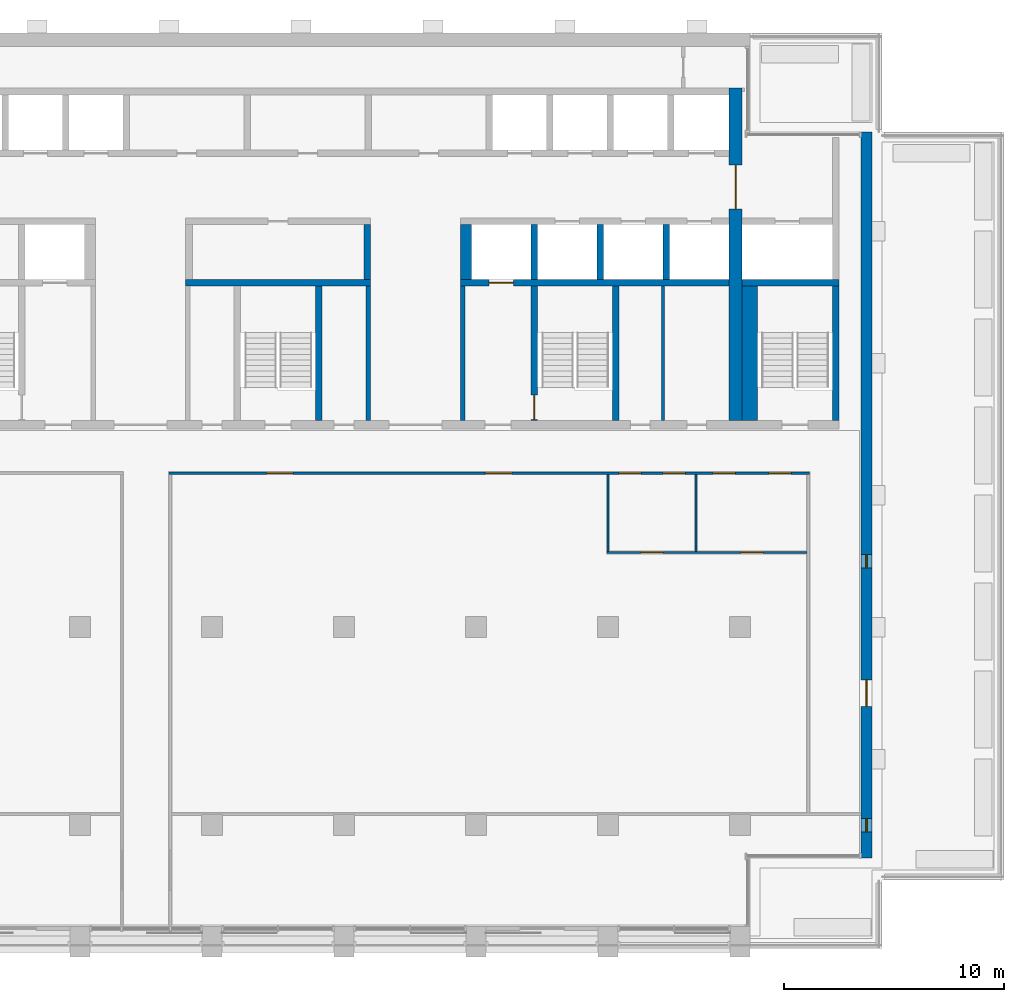
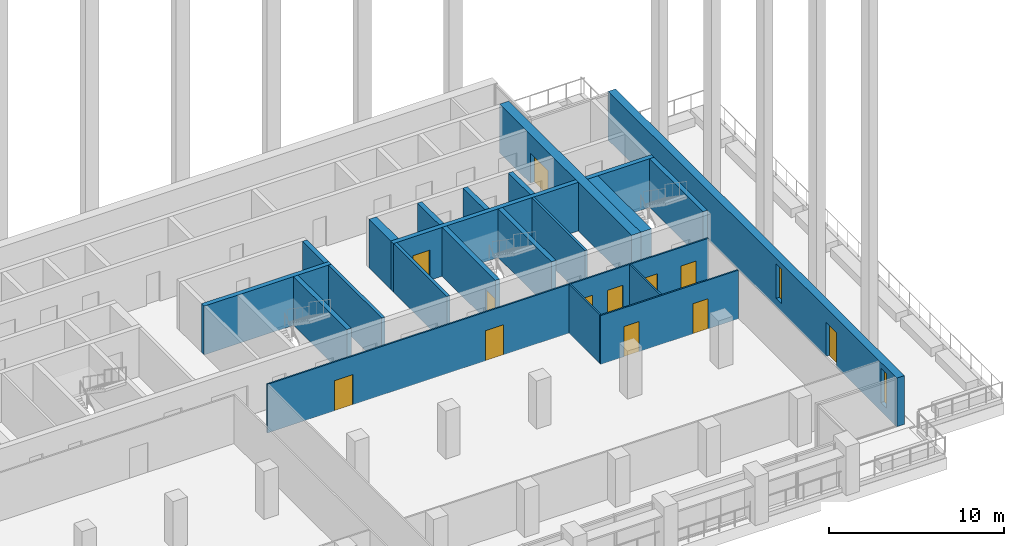
# One storey, part 9 of 16: 22 walls, 12 doors, 2 windows, 14 openings.
"""IFC4 building model written with IfcOpenShell, lengths in metres."""

from ifc_helpers import new_model, si_unit, direction, frame, frame_2d, origin, place, context, subcontext, project, spatial, rectangle, extrude, material, layer, layer_set, type_object, element, fill, save


model = new_model("IFC4")

# Units and contexts
model_context = context("Model", 3, precision=1e-05, world=origin(), true_north=direction((0.0, 1.0)))
body_context = subcontext(model_context, "Body", "Model", "MODEL_VIEW")
ifc_project = project(units=[si_unit("LENGTHUNIT", "METRE"), si_unit("AREAUNIT", "SQUARE_METRE"), si_unit("VOLUMEUNIT", "CUBIC_METRE"), si_unit("PLANEANGLEUNIT", "RADIAN"), si_unit("MASSUNIT", "GRAM", prefix="KILO")], contexts=[model_context])

# Site, building, storey
site_placement = place(None, origin())
site = spatial("IfcSite", under=ifc_project, at=site_placement, CompositionType="ELEMENT")
building_placement = place(site_placement, origin())
building = spatial("IfcBuilding", under=site, at=building_placement, Name="Calvaro Tower", CompositionType="ELEMENT")
storey_placement = place(building_placement, frame((0.0, 0.0, 231.75)))
storey = spatial("IfcBuildingStorey", under=building, at=storey_placement, Name="L58", CompositionType="ELEMENT", Elevation=231.75)

# Walls
ifc_material_1 = material(Name="Blockwork partition", Category="masonry")
ifc_layer_1 = layer(ifc_material_1, 0.14990234375)
ifc_layer_set_1 = layer_set([ifc_layer_1], Name="Blockwork partition")
wall_type_1 = type_object("IfcWallType", Name="Core partition 150 EI 60", PredefinedType="PARTITIONING", material=ifc_layer_set_1)
wall_1_placement = place(storey_placement, frame((56.5, 28.39990234375, 0.0), z_axis=(0.0, 0.0, 1.0), x_axis=(0.0, 1.0, 0.0)))
element("IfcWall", 1, at=wall_1_placement, inside=storey, type_object=wall_type_1, Name="Core partition", PredefinedType="PARTITIONING", context=body_context, shape_type="SweptSolid", body=[
    extrude(rectangle(XDim=6.10009765625, YDim=0.14990234375, at=frame_2d((3.050048828125, 0.0))), origin(), (0.0, 0.0, 1.0), 3.39990234375),
])
ifc_material_2 = material(Name="Blockwork partition", Category="masonry")
ifc_layer_2 = layer(ifc_material_2, 0.199951171875)
ifc_layer_set_2 = layer_set([ifc_layer_2], Name="Blockwork partition")
wall_type_2 = type_object("IfcWallType", Name="Core partition 200 REI 120", PredefinedType="PARTITIONING", material=ifc_layer_set_2)
for number, where, z_axis, x_axis, name in (
    (2, (43.10009765625, 28.39990234375, 0.0), (0.0, 0.0, 1.0), (0.0, 1.0, 0.0), "Core partition"),
    (3, (47.39990234375, 28.39990234375, 0.0), (0.0, 0.0, 1.0), (0.0, 1.0, 0.0), "Core partition"),
):
    element("IfcWall", number, at=place(storey_placement, frame(where, z_axis=z_axis, x_axis=x_axis)), inside=storey, type_object=wall_type_2, Name=name, PredefinedType="PARTITIONING", context=body_context, shape_type="SweptSolid", body=[
        extrude(rectangle(XDim=6.10009765625, YDim=0.199951171875, at=frame_2d((3.050048828125, 0.0))), origin(), (0.0, 0.0, 1.0), 3.39990234375),
    ])
ifc_material_3 = material(Name="Concrete C40/50", Category="concrete")
ifc_layer_3 = layer(ifc_material_3, 0.300048828125)
ifc_layer_set_3 = layer_set([ifc_layer_3], Name="Concrete C40/50")
wall_type_3 = type_object("IfcWallType", Name="Core wall C40/50 300", PredefinedType="SHEAR", material=ifc_layer_set_3)
wall_2_placement = place(storey_placement, frame((40.85009765625, 28.39990234375, 0.0), z_axis=(0.0, 0.0, 1.0), x_axis=(0.0, 1.0, 0.0)))
element("IfcWall", 4, at=wall_2_placement, inside=storey, type_object=wall_type_3, Name="Core wall, stair enclosure", PredefinedType="SHEAR", context=body_context, shape_type="SweptSolid", body=[
    extrude(rectangle(XDim=6.10009765625, YDim=0.300048828125, at=frame_2d((3.050048828125, 0.0))), origin(), (0.0, 0.0, 1.0), 3.39990234375),
])

# Wall, opening, door
wall_3_placement = place(storey_placement, frame((50.64990234375, 34.5, 0.0), z_axis=(0.0, 0.0, 1.0), x_axis=(0.0, -1.0, 0.0)))
wall_3 = element("IfcWall", 5, at=wall_3_placement, inside=storey, type_object=wall_type_3, Name="Core wall, stair enclosure", PredefinedType="SHEAR", context=body_context, shape_type="SweptSolid", body=[
    extrude(rectangle(XDim=6.10009765625, YDim=0.300048828125, at=frame_2d((3.050048828125, 0.0))), origin(), (0.0, 0.0, 1.0), 3.39990234375),
])
opening_1_placement = place(wall_3_placement, frame((4.949951171875, 0.0, 0.0)))
opening_1 = element("IfcOpeningElement", 6, at=opening_1_placement, cuts=wall_3, Name="Opening FD11D", PredefinedType="OPENING", context=body_context, shape_type="SweptSolid", body=[
    extrude(rectangle(XDim=1.10009765625, YDim=2.10009765625, at=frame_2d((0.550048828125, 1.050048828125))), frame((0.0, 0.159912109375, 0.0), z_axis=(0.0, -1.0, 0.0), x_axis=(1.0, 0.0, 0.0)), (0.0, 0.0, 1.0), 0.320068359375),
])
ifc_material_4 = material(Name="Steel door set", Category="steel")
door_type_1 = type_object("IfcDoorType", Name="Fire door 1100 FD30S", OperationType="SINGLE_SWING_LEFT", PredefinedType="DOOR", material=ifc_material_4)
door_1_placement = place(opening_1_placement, origin())
door_1 = element("IfcDoor", 7, at=door_1_placement, inside=storey, type_object=door_type_1, Name="Fire door", OperationType="SINGLE_SWING_RIGHT", OverallHeight=2.10009765625, OverallWidth=1.10009765625, PredefinedType="DOOR", context=body_context, shape_type="SweptSolid", body=[
    extrude(rectangle(XDim=1.10009765625, YDim=2.10009765625, at=frame_2d((0.550048828125, 1.050048828125))), frame((0.0, 0.02490234375, 0.0), z_axis=(0.0, -1.0, 0.0), x_axis=(1.0, 0.0, 0.0)), (0.0, 0.0, 1.0), 0.050048828125),
])
fill(opening_1, door_1)

# Walls
for number, where, z_axis, x_axis, name in (
    (8, (54.35009765625, 28.39990234375, 0.0), (0.0, 0.0, 1.0), (0.0, 1.0, 0.0), "Core wall, stair enclosure"),
    (9, (64.35009765625, 28.39990234375, 0.0), (0.0, 0.0, 1.0), (0.0, 1.0, 0.0), "Core wall, stair enclosure"),
):
    element("IfcWall", number, at=place(storey_placement, frame(where, z_axis=z_axis, x_axis=x_axis)), inside=storey, type_object=wall_type_3, Name=name, PredefinedType="SHEAR", context=body_context, shape_type="SweptSolid", body=[
        extrude(rectangle(XDim=6.10009765625, YDim=0.300048828125, at=frame_2d((3.050048828125, 0.0))), origin(), (0.0, 0.0, 1.0), 3.39990234375),
    ])
wall_4_placement = place(storey_placement, frame((34.800048828125, 34.64990234375, 0.0), z_axis=(0.0, 0.0, 1.0), x_axis=(1.0, 0.0, 0.0)))
element("IfcWall", 10, at=wall_4_placement, inside=storey, type_object=wall_type_3, Name="Core wall, lift shaft", PredefinedType="SHEAR", context=body_context, shape_type="SweptSolid", body=[
    extrude(rectangle(XDim=8.39990234375, YDim=0.300048828125, at=frame_2d((4.199951171875, 0.0))), origin(), (0.0, 0.0, 1.0), 3.39990234375),
])

# Wall, opening, door
wall_5_placement = place(storey_placement, frame((47.300048828125, 34.64990234375, 0.0), z_axis=(0.0, 0.0, 1.0), x_axis=(1.0, 0.0, 0.0)))
wall_5 = element("IfcWall", 11, at=wall_5_placement, inside=storey, type_object=wall_type_3, Name="Core wall, lift shaft", PredefinedType="SHEAR", context=body_context, shape_type="SweptSolid", body=[
    extrude(rectangle(XDim=12.199951171875, YDim=0.300048828125, at=frame_2d((6.10009765625, 0.0))), origin(), (0.0, 0.0, 1.0), 3.39990234375),
])
opening_2_placement = place(wall_5_placement, frame((1.300048828125, 0.0, 0.0)))
opening_2 = element("IfcOpeningElement", 12, at=opening_2_placement, cuts=wall_5, Name="Opening FF2", PredefinedType="OPENING", context=body_context, shape_type="SweptSolid", body=[
    extrude(rectangle(XDim=1.10009765625, YDim=2.10009765625, at=frame_2d((0.550048828125, 1.050048828125))), frame((0.0, 0.159912109375, 0.0), z_axis=(0.0, -1.0, 0.0), x_axis=(1.0, 0.0, 0.0)), (0.0, 0.0, 1.0), 0.320068359375),
])
ifc_material_5 = material(Name="Stainless steel", Category="steel")
door_type_2 = type_object("IfcDoorType", Name="Landing door 1100 E 60", OperationType="SLIDING_TO_LEFT", PredefinedType="DOOR", material=ifc_material_5)
door_2_placement = place(opening_2_placement, origin())
door_2 = element("IfcDoor", 13, at=door_2_placement, inside=storey, type_object=door_type_2, Name="Landing door FF2", OperationType="SLIDING_TO_LEFT", OverallHeight=2.10009765625, OverallWidth=1.10009765625, PredefinedType="DOOR", context=body_context, shape_type="SweptSolid", body=[
    extrude(rectangle(XDim=1.10009765625, YDim=2.10009765625, at=frame_2d((0.550048828125, 1.050048828125))), frame((0.0, 0.02490234375, 0.0), z_axis=(0.0, -1.0, 0.0), x_axis=(1.0, 0.0, 0.0)), (0.0, 0.0, 1.0), 0.050048828125),
])
fill(opening_2, door_2)

# Walls
wall_6_placement = place(storey_placement, frame((60.10009765625, 34.64990234375, 0.0), z_axis=(0.0, 0.0, 1.0), x_axis=(1.0, 0.0, 0.0)))
element("IfcWall", 14, at=wall_6_placement, inside=storey, type_object=wall_type_3, Name="Core wall, lift shaft", PredefinedType="SHEAR", context=body_context, shape_type="SweptSolid", body=[
    extrude(rectangle(XDim=4.39990234375, YDim=0.300048828125, at=frame_2d((2.199951171875, 0.0))), origin(), (0.0, 0.0, 1.0), 3.39990234375),
])
for number, where, z_axis, x_axis, name in (
    (15, (43.050048828125, 34.800048828125, 0.0), (0.0, 0.0, 1.0), (0.0, 1.0, 0.0), "Core wall, lift shaft"),
    (16, (50.64990234375, 34.800048828125, 0.0), (0.0, 0.0, 1.0), (0.0, 1.0, 0.0), "Core wall, lift shaft"),
    (17, (53.64990234375, 34.800048828125, 0.0), (0.0, 0.0, 1.0), (0.0, 1.0, 0.0), "Core wall, lift shaft"),
    (18, (56.64990234375, 34.800048828125, 0.0), (0.0, 0.0, 1.0), (0.0, 1.0, 0.0), "Core wall, lift shaft"),
):
    element("IfcWall", number, at=place(storey_placement, frame(where, z_axis=z_axis, x_axis=x_axis)), inside=storey, type_object=wall_type_3, Name=name, PredefinedType="SHEAR", context=body_context, shape_type="SweptSolid", body=[
        extrude(rectangle(XDim=2.5, YDim=0.300048828125, at=frame_2d((1.25, 0.0))), origin(), (0.0, 0.0, 1.0), 3.39990234375),
    ])
ifc_material_6 = material(Name="Concrete C40/50", Category="concrete")
ifc_layer_4 = layer(ifc_material_6, 0.5)
ifc_layer_set_4 = layer_set([ifc_layer_4], Name="Concrete C40/50")
wall_type_4 = type_object("IfcWallType", Name="Core wall C40/50 500", PredefinedType="SHEAR", material=ifc_layer_set_4)
wall_7_placement = place(storey_placement, frame((47.550048828125, 34.800048828125, 0.0), z_axis=(0.0, 0.0, 1.0), x_axis=(0.0, 1.0, 0.0)))
element("IfcWall", 19, at=wall_7_placement, inside=storey, type_object=wall_type_4, Name="Core wall, lift shaft", PredefinedType="SHEAR", context=body_context, shape_type="SweptSolid", body=[
    extrude(rectangle(XDim=2.5, YDim=0.5, at=frame_2d((1.25, 0.0))), origin(), (0.0, 0.0, 1.0), 3.39990234375),
])

# Wall, opening, door
ifc_material_7 = material(Name="Concrete C40/50", Category="concrete")
ifc_layer_5 = layer(ifc_material_7, 0.60009765625)
ifc_layer_set_5 = layer_set([ifc_layer_5], Name="Concrete C40/50")
wall_type_5 = type_object("IfcWallType", Name="Core wall C40/50 600", PredefinedType="SHEAR", material=ifc_layer_set_5)
wall_8_placement = place(storey_placement, frame((59.800048828125, 28.39990234375, 0.0), z_axis=(0.0, 0.0, 1.0), x_axis=(0.0, 1.0, 0.0)))
wall_8 = element("IfcWall", 20, at=wall_8_placement, inside=storey, type_object=wall_type_5, Name="Core wall, cross shear wall", PredefinedType="SHEAR", context=body_context, shape_type="SweptSolid", body=[
    extrude(rectangle(XDim=15.10009765625, YDim=0.60009765625, at=frame_2d((7.550048828125, 0.0))), origin(), (0.0, 0.0, 1.0), 3.39990234375),
])
opening_3_placement = place(wall_8_placement, frame((9.60009765625, 0.0, 0.0)))
opening_3 = element("IfcOpeningElement", 21, at=opening_3_placement, cuts=wall_8, Name="Opening DD20D", PredefinedType="OPENING", context=body_context, shape_type="SweptSolid", body=[
    extrude(rectangle(XDim=2.0, YDim=2.10009765625, at=frame_2d((1.0, 1.050048828125))), frame((0.0, 0.31005859375, 0.0), z_axis=(0.0, -1.0, 0.0), x_axis=(1.0, 0.0, 0.0)), (0.0, 0.0, 1.0), 0.6201171875),
])
ifc_material_8 = material(Name="Steel door set", Category="steel")
door_type_3 = type_object("IfcDoorType", Name="Lobby double door 2000 FD30S", OperationType="DOUBLE_DOOR_SINGLE_SWING", PredefinedType="DOOR", material=ifc_material_8)
door_3_placement = place(opening_3_placement, origin())
door_3 = element("IfcDoor", 22, at=door_3_placement, inside=storey, type_object=door_type_3, Name="Lobby double door", OperationType="DOUBLE_DOOR_SINGLE_SWING", OverallHeight=2.10009765625, OverallWidth=2.0, PredefinedType="DOOR", context=body_context, shape_type="SweptSolid", body=[
    extrude(rectangle(XDim=2.0, YDim=2.10009765625, at=frame_2d((1.0, 1.050048828125))), frame((0.0, 0.02490234375, 0.0), z_axis=(0.0, -1.0, 0.0), x_axis=(1.0, 0.0, 0.0)), (0.0, 0.0, 1.0), 0.050048828125),
])
fill(opening_3, door_3)

# Wall
ifc_material_9 = material(Name="Concrete C40/50", Category="concrete")
ifc_layer_6 = layer(ifc_material_9, 0.699951171875)
ifc_layer_set_6 = layer_set([ifc_layer_6], Name="Concrete C40/50")
wall_type_6 = type_object("IfcWallType", Name="Core wall C40/50 700", PredefinedType="SHEAR", material=ifc_layer_set_6)
wall_9_placement = place(storey_placement, frame((60.449951171875, 28.39990234375, 0.0), z_axis=(0.0, 0.0, 1.0), x_axis=(0.0, 1.0, 0.0)))
element("IfcWall", 23, at=wall_9_placement, inside=storey, type_object=wall_type_6, Name="Core wall, stair enclosure", PredefinedType="SHEAR", context=body_context, shape_type="SweptSolid", body=[
    extrude(rectangle(XDim=6.10009765625, YDim=0.699951171875, at=frame_2d((3.050048828125, 0.0))), origin(), (0.0, 0.0, 1.0), 3.39990234375),
])

# Wall, openings, windows, door
ifc_material_10 = material(Name="Concrete C40/50", Category="concrete")
ifc_layer_7 = layer(ifc_material_10, 0.5)
ifc_layer_set_7 = layer_set([ifc_layer_7], Name="Concrete C40/50")
wall_type_7 = type_object("IfcWallType", Name="End wall 500 C40/50", PredefinedType="SHEAR", material=ifc_layer_set_7)
wall_10_placement = place(storey_placement, frame((65.75, 8.5, 0.0), z_axis=(0.0, 0.0, 1.0), x_axis=(0.0, 1.0, 0.0)))
wall_10 = element("IfcWall", 24, at=wall_10_placement, inside=storey, type_object=wall_type_7, Name="End shear wall", PredefinedType="SHEAR", context=body_context, shape_type="SweptSolid", body=[
    extrude(rectangle(XDim=33.0, YDim=0.5, at=frame_2d((16.5, 0.0))), origin(), (0.0, 0.0, 1.0), 3.39990234375),
])
opening_4_placement = place(wall_10_placement, frame((1.199951171875, 0.0, 0.60009765625)))
opening_4 = element("IfcOpeningElement", 25, at=opening_4_placement, cuts=wall_10, Name="Opening WE01", PredefinedType="OPENING", context=body_context, shape_type="SweptSolid", body=[
    extrude(rectangle(XDim=0.60009765625, YDim=2.39990234375, at=frame_2d((0.300048828125, 1.199951171875))), frame((0.0, 0.260009765625, 0.0), z_axis=(0.0, -1.0, 0.0), x_axis=(1.0, 0.0, 0.0)), (0.0, 0.0, 1.0), 0.52001953125),
])
opening_5_placement = place(wall_10_placement, frame((13.199951171875, 0.0, 0.60009765625)))
opening_5 = element("IfcOpeningElement", 26, at=opening_5_placement, cuts=wall_10, Name="Opening WE03", PredefinedType="OPENING", context=body_context, shape_type="SweptSolid", body=[
    extrude(rectangle(XDim=0.60009765625, YDim=2.39990234375, at=frame_2d((0.300048828125, 1.199951171875))), frame((0.0, 0.260009765625, 0.0), z_axis=(0.0, -1.0, 0.0), x_axis=(1.0, 0.0, 0.0)), (0.0, 0.0, 1.0), 0.52001953125),
])
opening_6_placement = place(wall_10_placement, frame((6.89990234375, 0.0, 0.0)))
opening_6 = element("IfcOpeningElement", 27, at=opening_6_placement, cuts=wall_10, Name="Opening DT21", PredefinedType="OPENING", context=body_context, shape_type="SweptSolid", body=[
    extrude(rectangle(XDim=1.199951171875, YDim=2.39990234375, at=frame_2d((0.60009765625, 1.199951171875))), frame((0.0, 0.260009765625, 0.0), z_axis=(0.0, -1.0, 0.0), x_axis=(1.0, 0.0, 0.0)), (0.0, 0.0, 1.0), 0.52001953125),
])
ifc_material_11 = material(Name="Glass", Category="glass")
window_type = type_object("IfcWindowType", Name="Slit window 600 x 2400", PartitioningType="SINGLE_PANEL", PredefinedType="WINDOW", material=ifc_material_11)
window_1_placement = place(opening_4_placement, origin())
window_1 = element("IfcWindow", 28, at=window_1_placement, inside=storey, type_object=window_type, Name="Window WE01", OverallHeight=2.39990234375, OverallWidth=0.60009765625, PartitioningType="SINGLE_PANEL", PredefinedType="WINDOW", context=body_context, shape_type="SweptSolid", body=[
    extrude(rectangle(XDim=0.60009765625, YDim=2.39990234375, at=frame_2d((0.300048828125, 1.199951171875))), frame((0.0, 0.030029296875, 0.0), z_axis=(0.0, -1.0, 0.0), x_axis=(1.0, 0.0, 0.0)), (0.0, 0.0, 1.0), 0.06005859375),
])
fill(opening_4, window_1)
window_2_placement = place(opening_5_placement, origin())
window_2 = element("IfcWindow", 29, at=window_2_placement, inside=storey, type_object=window_type, Name="Window WE03", OverallHeight=2.39990234375, OverallWidth=0.60009765625, PartitioningType="SINGLE_PANEL", PredefinedType="WINDOW", context=body_context, shape_type="SweptSolid", body=[
    extrude(rectangle(XDim=0.60009765625, YDim=2.39990234375, at=frame_2d((0.300048828125, 1.199951171875))), frame((0.0, 0.030029296875, 0.0), z_axis=(0.0, -1.0, 0.0), x_axis=(1.0, 0.0, 0.0)), (0.0, 0.0, 1.0), 0.06005859375),
])
fill(opening_5, window_2)
ifc_material_12 = material(Name="Glass", Category="glass")
door_type_4 = type_object("IfcDoorType", Name="Terrace door 1200 x 2400", OperationType="SINGLE_SWING_RIGHT", PredefinedType="DOOR", material=ifc_material_12)
door_4_placement = place(opening_6_placement, frame((1.199951171875, 0.0, 0.0), z_axis=(0.0, 0.0, 1.0), x_axis=(-1.0, 0.0, 0.0)))
door_4 = element("IfcDoor", 30, at=door_4_placement, inside=storey, type_object=door_type_4, Name="Terrace door", OperationType="SINGLE_SWING_LEFT", OverallHeight=2.39990234375, OverallWidth=1.199951171875, PredefinedType="DOOR", context=body_context, shape_type="SweptSolid", body=[
    extrude(rectangle(XDim=1.199951171875, YDim=2.39990234375, at=frame_2d((0.60009765625, 1.199951171875))), frame((0.0, 0.02490234375, 0.0), z_axis=(0.0, -1.0, 0.0), x_axis=(1.0, 0.0, 0.0)), (0.0, 0.0, 1.0), 0.050048828125),
])
fill(opening_6, door_4)

# Wall, openings, doors
ifc_material_13 = material(Name="Plasterboard on steel studs", Category="steel")
ifc_layer_8 = layer(ifc_material_13, 0.10009765625)
ifc_layer_set_8 = layer_set([ifc_layer_8], Name="Plasterboard on steel studs")
wall_type_8 = type_object("IfcWallType", Name="Partition 100 EI 60", PredefinedType="PARTITIONING", material=ifc_layer_set_8)
wall_11_placement = place(storey_placement, frame((53.949951171875, 22.39990234375, 0.0), z_axis=(0.0, 0.0, 1.0), x_axis=(1.0, 0.0, 0.0)))
wall_11 = element("IfcWall", 31, at=wall_11_placement, inside=storey, type_object=wall_type_8, Name="Partition T43.W003", PredefinedType="PARTITIONING", context=body_context, shape_type="SweptSolid", body=[
    extrude(rectangle(XDim=9.10009765625, YDim=0.10009765625, at=frame_2d((4.550048828125, 0.0))), origin(), (0.0, 0.0, 1.0), 3.39990234375),
])
opening_7_placement = place(wall_11_placement, frame((1.550048828125, 0.0, 0.0)))
opening_7 = element("IfcOpeningElement", 32, at=opening_7_placement, cuts=wall_11, Name="Opening T43.008", PredefinedType="OPENING", context=body_context, shape_type="SweptSolid", body=[
    extrude(rectangle(XDim=1.0, YDim=2.10009765625, at=frame_2d((0.5, 1.050048828125))), frame((0.0, 0.06005859375, 0.0), z_axis=(0.0, -1.0, 0.0), x_axis=(1.0, 0.0, 0.0)), (0.0, 0.0, 1.0), 0.1201171875),
])
opening_8_placement = place(wall_11_placement, frame((6.10009765625, 0.0, 0.0)))
opening_8 = element("IfcOpeningElement", 33, at=opening_8_placement, cuts=wall_11, Name="Opening T43.011", PredefinedType="OPENING", context=body_context, shape_type="SweptSolid", body=[
    extrude(rectangle(XDim=1.0, YDim=2.10009765625, at=frame_2d((0.5, 1.050048828125))), frame((0.0, 0.06005859375, 0.0), z_axis=(0.0, -1.0, 0.0), x_axis=(1.0, 0.0, 0.0)), (0.0, 0.0, 1.0), 0.1201171875),
])
ifc_material_14 = material(Name="Timber", Category="wood")
door_type_5 = type_object("IfcDoorType", Name="Internal single door 1000 x 2100", OperationType="SINGLE_SWING_LEFT", PredefinedType="DOOR", material=ifc_material_14)
door_5_placement = place(opening_8_placement, origin())
door_5 = element("IfcDoor", 34, at=door_5_placement, inside=storey, type_object=door_type_5, Name="Door T43.011", OperationType="SINGLE_SWING_RIGHT", OverallHeight=2.10009765625, OverallWidth=1.0, PredefinedType="DOOR", context=body_context, shape_type="SweptSolid", body=[
    extrude(rectangle(XDim=1.0, YDim=2.10009765625, at=frame_2d((0.5, 1.050048828125))), frame((0.0, 0.02490234375, 0.0), z_axis=(0.0, -1.0, 0.0), x_axis=(1.0, 0.0, 0.0)), (0.0, 0.0, 1.0), 0.050048828125),
])
fill(opening_8, door_5)
ifc_material_15 = material(Name="Timber", Category="wood")
door_type_6 = type_object("IfcDoorType", Name="Internal single door 1000 x 2100 FD30", OperationType="SINGLE_SWING_LEFT", PredefinedType="DOOR", material=ifc_material_15)
door_6_placement = place(opening_7_placement, origin())
door_6 = element("IfcDoor", 35, at=door_6_placement, inside=storey, type_object=door_type_6, Name="Door T43.008", OperationType="SINGLE_SWING_LEFT", OverallHeight=2.10009765625, OverallWidth=1.0, PredefinedType="DOOR", context=body_context, shape_type="SweptSolid", body=[
    extrude(rectangle(XDim=1.0, YDim=2.10009765625, at=frame_2d((0.5, 1.050048828125))), frame((0.0, 0.02490234375, 0.0), z_axis=(0.0, -1.0, 0.0), x_axis=(1.0, 0.0, 0.0)), (0.0, 0.0, 1.0), 0.050048828125),
])
fill(opening_7, door_6)

wall_12_placement = place(storey_placement, frame((34.050048828125, 26.0, 0.0), z_axis=(0.0, 0.0, 1.0), x_axis=(1.0, 0.0, 0.0)))
wall_12 = element("IfcWall", 36, at=wall_12_placement, inside=storey, type_object=wall_type_8, Name="Partition T43.W005", PredefinedType="PARTITIONING", context=body_context, shape_type="SweptSolid", body=[
    extrude(rectangle(XDim=29.099853515625, YDim=0.10009765625, at=frame_2d((14.5498046875, 0.0))), origin(), (0.0, 0.0, 1.0), 3.39990234375),
])
opening_9_placement = place(wall_12_placement, frame((4.425048828125, 0.0, 0.0)))
opening_9 = element("IfcOpeningElement", 37, at=opening_9_placement, cuts=wall_12, Name="Opening T43.003", PredefinedType="OPENING", context=body_context, shape_type="SweptSolid", body=[
    extrude(rectangle(XDim=1.199951171875, YDim=2.10009765625, at=frame_2d((0.60009765625, 1.050048828125))), frame((0.0, 0.06005859375, 0.0), z_axis=(0.0, -1.0, 0.0), x_axis=(1.0, 0.0, 0.0)), (0.0, 0.0, 1.0), 0.1201171875),
])
opening_10_placement = place(wall_12_placement, frame((14.375, 0.0, 0.0)))
opening_10 = element("IfcOpeningElement", 38, at=opening_10_placement, cuts=wall_12, Name="Opening T43.004", PredefinedType="OPENING", context=body_context, shape_type="SweptSolid", body=[
    extrude(rectangle(XDim=1.199951171875, YDim=2.10009765625, at=frame_2d((0.60009765625, 1.050048828125))), frame((0.0, 0.06005859375, 0.0), z_axis=(0.0, -1.0, 0.0), x_axis=(1.0, 0.0, 0.0)), (0.0, 0.0, 1.0), 0.1201171875),
])
opening_11_placement = place(wall_12_placement, frame((20.449951171875, 0.0, 0.0)))
opening_11 = element("IfcOpeningElement", 39, at=opening_11_placement, cuts=wall_12, Name="Opening T43.007", PredefinedType="OPENING", context=body_context, shape_type="SweptSolid", body=[
    extrude(rectangle(XDim=1.0, YDim=2.10009765625, at=frame_2d((0.5, 1.050048828125))), frame((0.0, 0.06005859375, 0.0), z_axis=(0.0, -1.0, 0.0), x_axis=(1.0, 0.0, 0.0)), (0.0, 0.0, 1.0), 0.1201171875),
])
opening_12_placement = place(wall_12_placement, frame((22.449951171875, 0.0, 0.0)))
opening_12 = element("IfcOpeningElement", 40, at=opening_12_placement, cuts=wall_12, Name="Opening T43.009", PredefinedType="OPENING", context=body_context, shape_type="SweptSolid", body=[
    extrude(rectangle(XDim=1.0, YDim=2.10009765625, at=frame_2d((0.5, 1.050048828125))), frame((0.0, 0.06005859375, 0.0), z_axis=(0.0, -1.0, 0.0), x_axis=(1.0, 0.0, 0.0)), (0.0, 0.0, 1.0), 0.1201171875),
])
opening_13_placement = place(wall_12_placement, frame((24.72509765625, 0.0, 0.0)))
opening_13 = element("IfcOpeningElement", 41, at=opening_13_placement, cuts=wall_12, Name="Opening T43.010", PredefinedType="OPENING", context=body_context, shape_type="SweptSolid", body=[
    extrude(rectangle(XDim=1.0, YDim=2.10009765625, at=frame_2d((0.5, 1.050048828125))), frame((0.0, 0.06005859375, 0.0), z_axis=(0.0, -1.0, 0.0), x_axis=(1.0, 0.0, 0.0)), (0.0, 0.0, 1.0), 0.1201171875),
])
opening_14_placement = place(wall_12_placement, frame((27.27490234375, 0.0, 0.0)))
opening_14 = element("IfcOpeningElement", 42, at=opening_14_placement, cuts=wall_12, Name="Opening T43.012", PredefinedType="OPENING", context=body_context, shape_type="SweptSolid", body=[
    extrude(rectangle(XDim=1.0, YDim=2.10009765625, at=frame_2d((0.5, 1.050048828125))), frame((0.0, 0.06005859375, 0.0), z_axis=(0.0, -1.0, 0.0), x_axis=(1.0, 0.0, 0.0)), (0.0, 0.0, 1.0), 0.1201171875),
])
door_7_placement = place(opening_13_placement, origin())
door_7 = element("IfcDoor", 43, at=door_7_placement, inside=storey, type_object=door_type_5, Name="Door T43.010", OperationType="SINGLE_SWING_RIGHT", OverallHeight=2.10009765625, OverallWidth=1.0, PredefinedType="DOOR", context=body_context, shape_type="SweptSolid", body=[
    extrude(rectangle(XDim=1.0, YDim=2.10009765625, at=frame_2d((0.5, 1.050048828125))), frame((0.0, 0.02490234375, 0.0), z_axis=(0.0, -1.0, 0.0), x_axis=(1.0, 0.0, 0.0)), (0.0, 0.0, 1.0), 0.050048828125),
])
fill(opening_13, door_7)
door_8_placement = place(opening_14_placement, origin())
door_8 = element("IfcDoor", 44, at=door_8_placement, inside=storey, type_object=door_type_5, Name="Door T43.012", OperationType="SINGLE_SWING_RIGHT", OverallHeight=2.10009765625, OverallWidth=1.0, PredefinedType="DOOR", context=body_context, shape_type="SweptSolid", body=[
    extrude(rectangle(XDim=1.0, YDim=2.10009765625, at=frame_2d((0.5, 1.050048828125))), frame((0.0, 0.02490234375, 0.0), z_axis=(0.0, -1.0, 0.0), x_axis=(1.0, 0.0, 0.0)), (0.0, 0.0, 1.0), 0.050048828125),
])
fill(opening_14, door_8)
door_9_placement = place(opening_11_placement, origin())
door_9 = element("IfcDoor", 45, at=door_9_placement, inside=storey, type_object=door_type_6, Name="Door T43.007", OperationType="SINGLE_SWING_RIGHT", OverallHeight=2.10009765625, OverallWidth=1.0, PredefinedType="DOOR", context=body_context, shape_type="SweptSolid", body=[
    extrude(rectangle(XDim=1.0, YDim=2.10009765625, at=frame_2d((0.5, 1.050048828125))), frame((0.0, 0.02490234375, 0.0), z_axis=(0.0, -1.0, 0.0), x_axis=(1.0, 0.0, 0.0)), (0.0, 0.0, 1.0), 0.050048828125),
])
fill(opening_11, door_9)
door_10_placement = place(opening_12_placement, origin())
door_10 = element("IfcDoor", 46, at=door_10_placement, inside=storey, type_object=door_type_6, Name="Door T43.009", OperationType="SINGLE_SWING_RIGHT", OverallHeight=2.10009765625, OverallWidth=1.0, PredefinedType="DOOR", context=body_context, shape_type="SweptSolid", body=[
    extrude(rectangle(XDim=1.0, YDim=2.10009765625, at=frame_2d((0.5, 1.050048828125))), frame((0.0, 0.02490234375, 0.0), z_axis=(0.0, -1.0, 0.0), x_axis=(1.0, 0.0, 0.0)), (0.0, 0.0, 1.0), 0.050048828125),
])
fill(opening_12, door_10)
ifc_material_16 = material(Name="Timber", Category="wood")
door_type_7 = type_object("IfcDoorType", Name="Internal single door 1200 x 2100", OperationType="SINGLE_SWING_LEFT", PredefinedType="DOOR", material=ifc_material_16)
door_11_placement = place(opening_9_placement, origin())
door_11 = element("IfcDoor", 47, at=door_11_placement, inside=storey, type_object=door_type_7, Name="Door T43.003", OperationType="SINGLE_SWING_LEFT", OverallHeight=2.10009765625, OverallWidth=1.199951171875, PredefinedType="DOOR", context=body_context, shape_type="SweptSolid", body=[
    extrude(rectangle(XDim=1.199951171875, YDim=2.10009765625, at=frame_2d((0.60009765625, 1.050048828125))), frame((0.0, 0.02490234375, 0.0), z_axis=(0.0, -1.0, 0.0), x_axis=(1.0, 0.0, 0.0)), (0.0, 0.0, 1.0), 0.050048828125),
])
fill(opening_9, door_11)
door_12_placement = place(opening_10_placement, origin())
door_12 = element("IfcDoor", 48, at=door_12_placement, inside=storey, type_object=door_type_7, Name="Door T43.004", OperationType="SINGLE_SWING_RIGHT", OverallHeight=2.10009765625, OverallWidth=1.199951171875, PredefinedType="DOOR", context=body_context, shape_type="SweptSolid", body=[
    extrude(rectangle(XDim=1.199951171875, YDim=2.10009765625, at=frame_2d((0.60009765625, 1.050048828125))), frame((0.0, 0.02490234375, 0.0), z_axis=(0.0, -1.0, 0.0), x_axis=(1.0, 0.0, 0.0)), (0.0, 0.0, 1.0), 0.050048828125),
])
fill(opening_10, door_12)

# Walls
for number, where, z_axis, x_axis, name in (
    (49, (54.0, 22.449951171875, 0.0), (0.0, 0.0, 1.0), (0.0, 1.0, 0.0), "Partition T43.W008"),
    (50, (58.0, 22.449951171875, 0.0), (0.0, 0.0, 1.0), (0.0, 1.0, 0.0), "Partition T43.W009"),
):
    element("IfcWall", number, at=place(storey_placement, frame(where, z_axis=z_axis, x_axis=x_axis)), inside=storey, type_object=wall_type_8, Name=name, PredefinedType="PARTITIONING", context=body_context, shape_type="SweptSolid", body=[
        extrude(rectangle(XDim=3.5, YDim=0.10009765625, at=frame_2d((1.75, 0.0))), origin(), (0.0, 0.0, 1.0), 3.39990234375),
    ])

save(model, "model.ifc")
